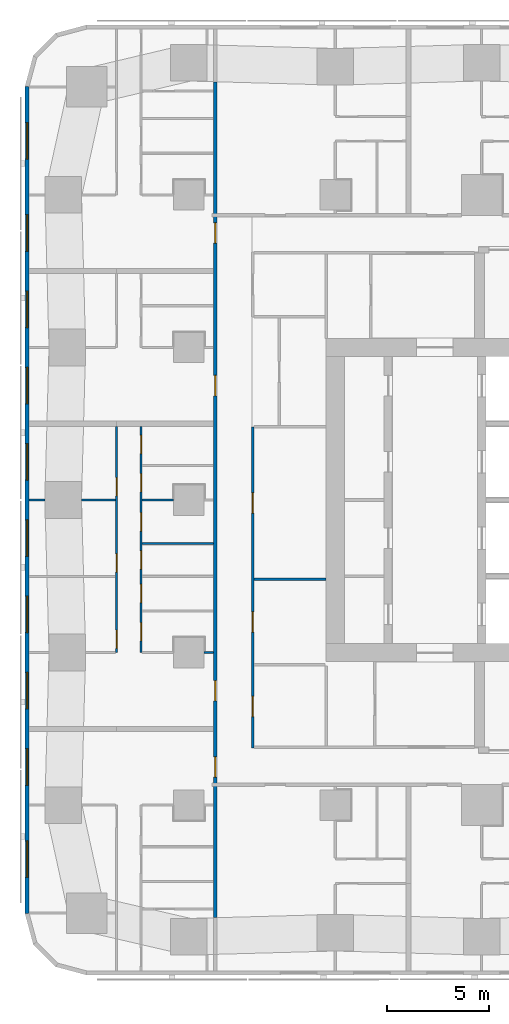
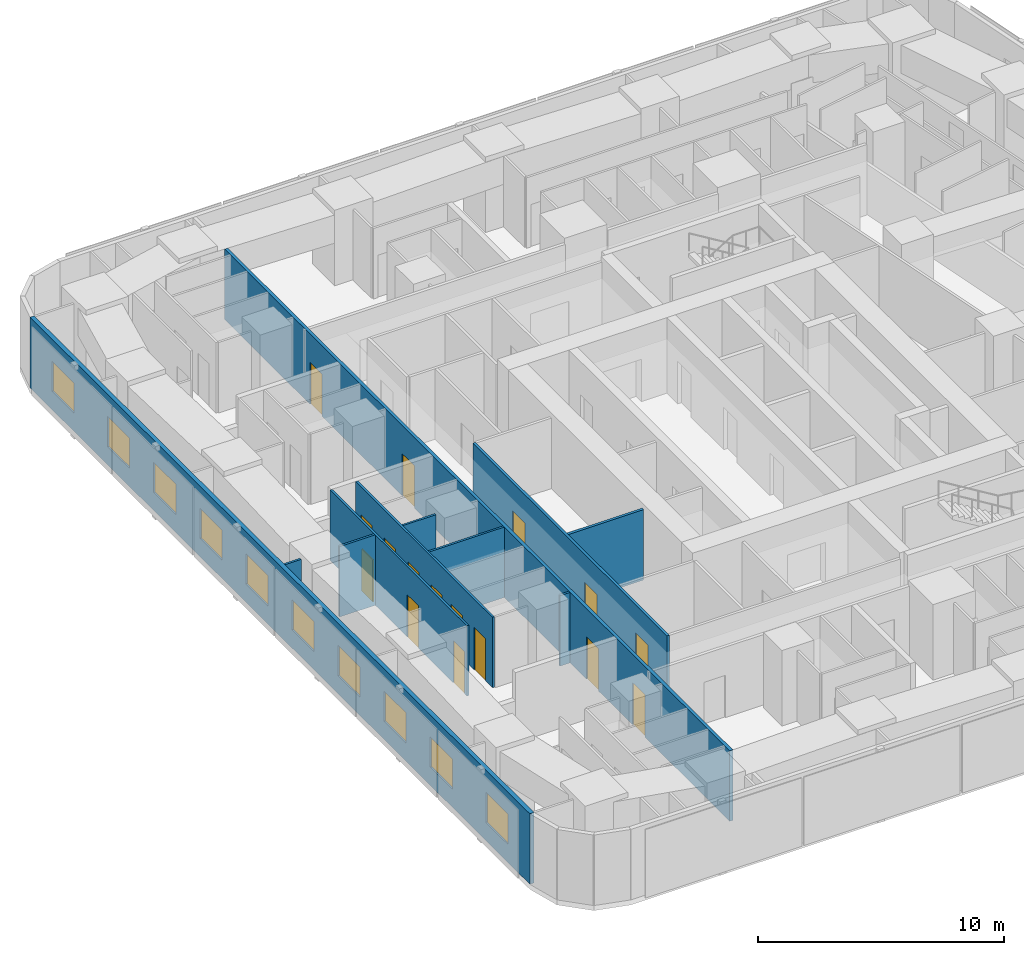
# One storey, part 4 of 14: 16 doors, 11 walls, 10 windows, 26 openings.
"""IFC4 building model written with IfcOpenShell, lengths in metres."""

from ifc_helpers import new_model, si_unit, direction, frame, frame_2d, origin, place, context, subcontext, project, spatial, rectangle, extrude, material, layer, layer_set, type_object, element, fill, save


model = new_model("IFC4")

# Units and contexts
model_context = context("Model", 3, precision=1e-05, world=origin(), true_north=direction((0.0, 1.0)))
body_context = subcontext(model_context, "Body", "Model", "MODEL_VIEW")
ifc_project = project(units=[si_unit("LENGTHUNIT", "METRE"), si_unit("AREAUNIT", "SQUARE_METRE"), si_unit("VOLUMEUNIT", "CUBIC_METRE"), si_unit("PLANEANGLEUNIT", "RADIAN"), si_unit("MASSUNIT", "GRAM", prefix="KILO")], contexts=[model_context])

# Site, building, storey
site_placement = place(None, origin())
site = spatial("IfcSite", under=ifc_project, at=site_placement, CompositionType="ELEMENT")
building_placement = place(site_placement, origin())
building = spatial("IfcBuilding", under=site, at=building_placement, Name="Sheger Commons Tower", CompositionType="ELEMENT")
storey_placement = place(building_placement, frame((0.0, 0.0, 135.800048828125)))
storey = spatial("IfcBuildingStorey", under=building, at=storey_placement, Name="L34", CompositionType="ELEMENT", Elevation=135.800048828125)

# Wall, openings, doors
ifc_material_1 = material(Name="Hollow concrete block masonry, skimmed both sides", Category="masonry")
ifc_layer_1 = layer(ifc_material_1, 0.14990234375)
ifc_layer_set_1 = layer_set([ifc_layer_1], Name="CORRIDOR WALL 150")
wall_type_1 = type_object("IfcWallType", Name="CORRIDOR WALL 150", PredefinedType="SOLIDWALL", material=ifc_layer_set_1)
wall_1_placement = place(storey_placement, frame((8.5, 1.964111328125, 0.0), z_axis=(0.0, 0.0, 1.0), x_axis=(0.0, 1.0, 0.0)))
wall_1 = element("IfcWall", 1, at=wall_1_placement, inside=storey, type_object=wall_type_1, Name="Corridor wall L34", PredefinedType="SOLIDWALL", context=body_context, shape_type="SweptSolid", body=[
    extrude(rectangle(XDim=41.096923828125, YDim=0.14990234375, at=frame_2d((20.54833984375, 0.0))), origin(), (0.0, 0.0, 1.0), 3.5),
])
opening_1_placement = place(wall_1_placement, frame((6.910888671875, 0.0, 0.0)))
opening_1 = element("IfcOpeningElement", 2, at=opening_1_placement, cuts=wall_1, Name="Opening D1", PredefinedType="OPENING", context=body_context, shape_type="SweptSolid", body=[
    extrude(rectangle(XDim=1.0, YDim=2.10009765625, at=frame_2d((0.5, 1.050048828125))), frame((0.0, 0.0849609375, 0.0), z_axis=(0.0, -1.0, 0.0), x_axis=(1.0, 0.0, 0.0)), (0.0, 0.0, 1.0), 0.169921875),
])
opening_2_placement = place(wall_1_placement, frame((10.660888671875, 0.0, 0.0)))
opening_2 = element("IfcOpeningElement", 3, at=opening_2_placement, cuts=wall_1, Name="Opening D1", PredefinedType="OPENING", context=body_context, shape_type="SweptSolid", body=[
    extrude(rectangle(XDim=1.0, YDim=2.10009765625, at=frame_2d((0.5, 1.050048828125))), frame((0.0, 0.0849609375, 0.0), z_axis=(0.0, -1.0, 0.0), x_axis=(1.0, 0.0, 0.0)), (0.0, 0.0, 1.0), 0.169921875),
])
opening_3_placement = place(wall_1_placement, frame((25.660888671875, 0.0, 0.0)))
opening_3 = element("IfcOpeningElement", 4, at=opening_3_placement, cuts=wall_1, Name="Opening D1", PredefinedType="OPENING", context=body_context, shape_type="SweptSolid", body=[
    extrude(rectangle(XDim=1.0, YDim=2.10009765625, at=frame_2d((0.5, 1.050048828125))), frame((0.0, 0.0849609375, 0.0), z_axis=(0.0, -1.0, 0.0), x_axis=(1.0, 0.0, 0.0)), (0.0, 0.0, 1.0), 0.169921875),
])
opening_4_placement = place(wall_1_placement, frame((33.160888671875, 0.0, 0.0)))
opening_4 = element("IfcOpeningElement", 5, at=opening_4_placement, cuts=wall_1, Name="Opening D1", PredefinedType="OPENING", context=body_context, shape_type="SweptSolid", body=[
    extrude(rectangle(XDim=1.0, YDim=2.10009765625, at=frame_2d((0.5, 1.050048828125))), frame((0.0, 0.0849609375, 0.0), z_axis=(0.0, -1.0, 0.0), x_axis=(1.0, 0.0, 0.0)), (0.0, 0.0, 1.0), 0.169921875),
])
ifc_material_2 = material(Name="Steel door set, fire rated", Category="steel")
door_type_1 = type_object("IfcDoorType", Name="FLAT ENTRANCE DOOR 1000x2100", OperationType="NOTDEFINED", PredefinedType="DOOR", material=ifc_material_2)
door_1_placement = place(opening_1_placement, origin())
door_1 = element("IfcDoor", 6, at=door_1_placement, inside=storey, type_object=door_type_1, Name="Flat entrance door", OperationType="SINGLE_SWING_RIGHT", OverallHeight=2.10009765625, OverallWidth=1.0, PredefinedType="DOOR", context=body_context, shape_type="SweptSolid", body=[
    extrude(rectangle(XDim=1.0, YDim=2.10009765625, at=frame_2d((0.5, 1.050048828125))), frame((0.0, 0.02490234375, 0.0), z_axis=(0.0, -1.0, 0.0), x_axis=(1.0, 0.0, 0.0)), (0.0, 0.0, 1.0), 0.050048828125),
])
fill(opening_1, door_1)
door_2_placement = place(opening_2_placement, origin())
door_2 = element("IfcDoor", 7, at=door_2_placement, inside=storey, type_object=door_type_1, Name="Flat entrance door", OperationType="SINGLE_SWING_LEFT", OverallHeight=2.10009765625, OverallWidth=1.0, PredefinedType="DOOR", context=body_context, shape_type="SweptSolid", body=[
    extrude(rectangle(XDim=1.0, YDim=2.10009765625, at=frame_2d((0.5, 1.050048828125))), frame((0.0, 0.02490234375, 0.0), z_axis=(0.0, -1.0, 0.0), x_axis=(1.0, 0.0, 0.0)), (0.0, 0.0, 1.0), 0.050048828125),
])
fill(opening_2, door_2)
door_3_placement = place(opening_3_placement, origin())
door_3 = element("IfcDoor", 8, at=door_3_placement, inside=storey, type_object=door_type_1, Name="Flat entrance door", OperationType="SINGLE_SWING_RIGHT", OverallHeight=2.10009765625, OverallWidth=1.0, PredefinedType="DOOR", context=body_context, shape_type="SweptSolid", body=[
    extrude(rectangle(XDim=1.0, YDim=2.10009765625, at=frame_2d((0.5, 1.050048828125))), frame((0.0, 0.02490234375, 0.0), z_axis=(0.0, -1.0, 0.0), x_axis=(1.0, 0.0, 0.0)), (0.0, 0.0, 1.0), 0.050048828125),
])
fill(opening_3, door_3)
door_4_placement = place(opening_4_placement, origin())
door_4 = element("IfcDoor", 9, at=door_4_placement, inside=storey, type_object=door_type_1, Name="Flat entrance door", OperationType="SINGLE_SWING_LEFT", OverallHeight=2.10009765625, OverallWidth=1.0, PredefinedType="DOOR", context=body_context, shape_type="SweptSolid", body=[
    extrude(rectangle(XDim=1.0, YDim=2.10009765625, at=frame_2d((0.5, 1.050048828125))), frame((0.0, 0.02490234375, 0.0), z_axis=(0.0, -1.0, 0.0), x_axis=(1.0, 0.0, 0.0)), (0.0, 0.0, 1.0), 0.050048828125),
])
fill(opening_4, door_4)

# Wall, openings, windows
ifc_material_3 = material(Name="Rendered concrete block masonry, dark grey", Category="masonry")
ifc_layer_2 = layer(ifc_material_3, 0.199951171875)
ifc_layer_set_2 = layer_set([ifc_layer_2], Name="FACADE WALL 200")
wall_type_2 = type_object("IfcWallType", Name="FACADE WALL 200", PredefinedType="SOLIDWALL", material=ifc_layer_set_2)
wall_2_placement = place(storey_placement, frame((-0.75, 42.8369140625, 0.0), z_axis=(0.0, 0.0, 1.0), x_axis=(0.0, -1.0, 0.0)))
wall_2 = element("IfcWall", 10, at=wall_2_placement, inside=storey, type_object=wall_type_2, Name="Facade wall L34", PredefinedType="SOLIDWALL", context=body_context, shape_type="SweptSolid", body=[
    extrude(rectangle(XDim=40.673828125, YDim=0.199951171875, at=frame_2d((20.3369140625, 0.0))), origin(), (0.0, 0.0, 1.0), 3.5),
])
opening_5_placement = place(wall_2_placement, frame((1.780029296875, 0.0, 0.89990234375)))
opening_5 = element("IfcOpeningElement", 11, at=opening_5_placement, cuts=wall_2, Name="Opening W2", PredefinedType="OPENING", context=body_context, shape_type="SweptSolid", body=[
    extrude(rectangle(XDim=1.800048828125, YDim=1.5, at=frame_2d((0.89990234375, 0.75))), frame((0.0, 0.10986328125, 0.0), z_axis=(0.0, -1.0, 0.0), x_axis=(1.0, 0.0, 0.0)), (0.0, 0.0, 1.0), 0.219970703125),
])
opening_6_placement = place(wall_2_placement, frame((6.31201171875, 0.0, 0.89990234375)))
opening_6 = element("IfcOpeningElement", 12, at=opening_6_placement, cuts=wall_2, Name="Opening W2", PredefinedType="OPENING", context=body_context, shape_type="SweptSolid", body=[
    extrude(rectangle(XDim=1.800048828125, YDim=1.5, at=frame_2d((0.89990234375, 0.75))), frame((0.0, 0.10986328125, 0.0), z_axis=(0.0, -1.0, 0.0), x_axis=(1.0, 0.0, 0.0)), (0.0, 0.0, 1.0), 0.219970703125),
])
opening_7_placement = place(wall_2_placement, frame((10.06201171875, 0.0, 0.89990234375)))
opening_7 = element("IfcOpeningElement", 13, at=opening_7_placement, cuts=wall_2, Name="Opening W2", PredefinedType="OPENING", context=body_context, shape_type="SweptSolid", body=[
    extrude(rectangle(XDim=1.800048828125, YDim=1.5, at=frame_2d((0.89990234375, 0.75))), frame((0.0, 0.10986328125, 0.0), z_axis=(0.0, -1.0, 0.0), x_axis=(1.0, 0.0, 0.0)), (0.0, 0.0, 1.0), 0.219970703125),
])
opening_8_placement = place(wall_2_placement, frame((13.81201171875, 0.0, 0.89990234375)))
opening_8 = element("IfcOpeningElement", 14, at=opening_8_placement, cuts=wall_2, Name="Opening W2", PredefinedType="OPENING", context=body_context, shape_type="SweptSolid", body=[
    extrude(rectangle(XDim=1.800048828125, YDim=1.5, at=frame_2d((0.89990234375, 0.75))), frame((0.0, 0.10986328125, 0.0), z_axis=(0.0, -1.0, 0.0), x_axis=(1.0, 0.0, 0.0)), (0.0, 0.0, 1.0), 0.219970703125),
])
opening_9_placement = place(wall_2_placement, frame((17.56201171875, 0.0, 0.89990234375)))
opening_9 = element("IfcOpeningElement", 15, at=opening_9_placement, cuts=wall_2, Name="Opening W2", PredefinedType="OPENING", context=body_context, shape_type="SweptSolid", body=[
    extrude(rectangle(XDim=1.800048828125, YDim=1.5, at=frame_2d((0.89990234375, 0.75))), frame((0.0, 0.10986328125, 0.0), z_axis=(0.0, -1.0, 0.0), x_axis=(1.0, 0.0, 0.0)), (0.0, 0.0, 1.0), 0.219970703125),
])
opening_10_placement = place(wall_2_placement, frame((21.31201171875, 0.0, 0.89990234375)))
opening_10 = element("IfcOpeningElement", 16, at=opening_10_placement, cuts=wall_2, Name="Opening W2", PredefinedType="OPENING", context=body_context, shape_type="SweptSolid", body=[
    extrude(rectangle(XDim=1.800048828125, YDim=1.5, at=frame_2d((0.89990234375, 0.75))), frame((0.0, 0.10986328125, 0.0), z_axis=(0.0, -1.0, 0.0), x_axis=(1.0, 0.0, 0.0)), (0.0, 0.0, 1.0), 0.219970703125),
])
opening_11_placement = place(wall_2_placement, frame((25.06201171875, 0.0, 0.89990234375)))
opening_11 = element("IfcOpeningElement", 17, at=opening_11_placement, cuts=wall_2, Name="Opening W2", PredefinedType="OPENING", context=body_context, shape_type="SweptSolid", body=[
    extrude(rectangle(XDim=1.800048828125, YDim=1.5, at=frame_2d((0.89990234375, 0.75))), frame((0.0, 0.10986328125, 0.0), z_axis=(0.0, -1.0, 0.0), x_axis=(1.0, 0.0, 0.0)), (0.0, 0.0, 1.0), 0.219970703125),
])
opening_12_placement = place(wall_2_placement, frame((28.81201171875, 0.0, 0.89990234375)))
opening_12 = element("IfcOpeningElement", 18, at=opening_12_placement, cuts=wall_2, Name="Opening W2", PredefinedType="OPENING", context=body_context, shape_type="SweptSolid", body=[
    extrude(rectangle(XDim=1.800048828125, YDim=1.5, at=frame_2d((0.89990234375, 0.75))), frame((0.0, 0.10986328125, 0.0), z_axis=(0.0, -1.0, 0.0), x_axis=(1.0, 0.0, 0.0)), (0.0, 0.0, 1.0), 0.219970703125),
])
opening_13_placement = place(wall_2_placement, frame((32.56201171875, 0.0, 0.89990234375)))
opening_13 = element("IfcOpeningElement", 19, at=opening_13_placement, cuts=wall_2, Name="Opening W2", PredefinedType="OPENING", context=body_context, shape_type="SweptSolid", body=[
    extrude(rectangle(XDim=1.800048828125, YDim=1.5, at=frame_2d((0.89990234375, 0.75))), frame((0.0, 0.10986328125, 0.0), z_axis=(0.0, -1.0, 0.0), x_axis=(1.0, 0.0, 0.0)), (0.0, 0.0, 1.0), 0.219970703125),
])
opening_14_placement = place(wall_2_placement, frame((37.093994140625, 0.0, 0.89990234375)))
opening_14 = element("IfcOpeningElement", 20, at=opening_14_placement, cuts=wall_2, Name="Opening W2", PredefinedType="OPENING", context=body_context, shape_type="SweptSolid", body=[
    extrude(rectangle(XDim=1.800048828125, YDim=1.5, at=frame_2d((0.89990234375, 0.75))), frame((0.0, 0.10986328125, 0.0), z_axis=(0.0, -1.0, 0.0), x_axis=(1.0, 0.0, 0.0)), (0.0, 0.0, 1.0), 0.219970703125),
])
ifc_material_4 = material(Name="Black aluminium frame, dark tinted double glazing", Category="aluminium")
window_type = type_object("IfcWindowType", Name="WINDOW W2 1800x1500", PartitioningType="SINGLE_PANEL", PredefinedType="WINDOW", material=ifc_material_4)
window_1_placement = place(opening_5_placement, origin())
window_1 = element("IfcWindow", 21, at=window_1_placement, inside=storey, type_object=window_type, Name="Window W2 1800X1500", OverallHeight=1.5, OverallWidth=1.800048828125, PartitioningType="SINGLE_PANEL", PredefinedType="WINDOW", context=body_context, shape_type="SweptSolid", body=[
    extrude(rectangle(XDim=1.800048828125, YDim=1.5, at=frame_2d((0.89990234375, 0.75))), frame((0.0, 0.030029296875, 0.0), z_axis=(0.0, -1.0, 0.0), x_axis=(1.0, 0.0, 0.0)), (0.0, 0.0, 1.0), 0.06005859375),
])
fill(opening_5, window_1)
window_2_placement = place(opening_6_placement, origin())
window_2 = element("IfcWindow", 22, at=window_2_placement, inside=storey, type_object=window_type, Name="Window W2 1800X1500", OverallHeight=1.5, OverallWidth=1.800048828125, PartitioningType="SINGLE_PANEL", PredefinedType="WINDOW", context=body_context, shape_type="SweptSolid", body=[
    extrude(rectangle(XDim=1.800048828125, YDim=1.5, at=frame_2d((0.89990234375, 0.75))), frame((0.0, 0.030029296875, 0.0), z_axis=(0.0, -1.0, 0.0), x_axis=(1.0, 0.0, 0.0)), (0.0, 0.0, 1.0), 0.06005859375),
])
fill(opening_6, window_2)
window_3_placement = place(opening_7_placement, origin())
window_3 = element("IfcWindow", 23, at=window_3_placement, inside=storey, type_object=window_type, Name="Window W2 1800X1500", OverallHeight=1.5, OverallWidth=1.800048828125, PartitioningType="SINGLE_PANEL", PredefinedType="WINDOW", context=body_context, shape_type="SweptSolid", body=[
    extrude(rectangle(XDim=1.800048828125, YDim=1.5, at=frame_2d((0.89990234375, 0.75))), frame((0.0, 0.030029296875, 0.0), z_axis=(0.0, -1.0, 0.0), x_axis=(1.0, 0.0, 0.0)), (0.0, 0.0, 1.0), 0.06005859375),
])
fill(opening_7, window_3)
window_4_placement = place(opening_8_placement, origin())
window_4 = element("IfcWindow", 24, at=window_4_placement, inside=storey, type_object=window_type, Name="Window W2 1800X1500", OverallHeight=1.5, OverallWidth=1.800048828125, PartitioningType="SINGLE_PANEL", PredefinedType="WINDOW", context=body_context, shape_type="SweptSolid", body=[
    extrude(rectangle(XDim=1.800048828125, YDim=1.5, at=frame_2d((0.89990234375, 0.75))), frame((0.0, 0.030029296875, 0.0), z_axis=(0.0, -1.0, 0.0), x_axis=(1.0, 0.0, 0.0)), (0.0, 0.0, 1.0), 0.06005859375),
])
fill(opening_8, window_4)
window_5_placement = place(opening_9_placement, origin())
window_5 = element("IfcWindow", 25, at=window_5_placement, inside=storey, type_object=window_type, Name="Window W2 1800X1500", OverallHeight=1.5, OverallWidth=1.800048828125, PartitioningType="SINGLE_PANEL", PredefinedType="WINDOW", context=body_context, shape_type="SweptSolid", body=[
    extrude(rectangle(XDim=1.800048828125, YDim=1.5, at=frame_2d((0.89990234375, 0.75))), frame((0.0, 0.030029296875, 0.0), z_axis=(0.0, -1.0, 0.0), x_axis=(1.0, 0.0, 0.0)), (0.0, 0.0, 1.0), 0.06005859375),
])
fill(opening_9, window_5)
window_6_placement = place(opening_10_placement, origin())
window_6 = element("IfcWindow", 26, at=window_6_placement, inside=storey, type_object=window_type, Name="Window W2 1800X1500", OverallHeight=1.5, OverallWidth=1.800048828125, PartitioningType="SINGLE_PANEL", PredefinedType="WINDOW", context=body_context, shape_type="SweptSolid", body=[
    extrude(rectangle(XDim=1.800048828125, YDim=1.5, at=frame_2d((0.89990234375, 0.75))), frame((0.0, 0.030029296875, 0.0), z_axis=(0.0, -1.0, 0.0), x_axis=(1.0, 0.0, 0.0)), (0.0, 0.0, 1.0), 0.06005859375),
])
fill(opening_10, window_6)
window_7_placement = place(opening_11_placement, origin())
window_7 = element("IfcWindow", 27, at=window_7_placement, inside=storey, type_object=window_type, Name="Window W2 1800X1500", OverallHeight=1.5, OverallWidth=1.800048828125, PartitioningType="SINGLE_PANEL", PredefinedType="WINDOW", context=body_context, shape_type="SweptSolid", body=[
    extrude(rectangle(XDim=1.800048828125, YDim=1.5, at=frame_2d((0.89990234375, 0.75))), frame((0.0, 0.030029296875, 0.0), z_axis=(0.0, -1.0, 0.0), x_axis=(1.0, 0.0, 0.0)), (0.0, 0.0, 1.0), 0.06005859375),
])
fill(opening_11, window_7)
window_8_placement = place(opening_12_placement, origin())
window_8 = element("IfcWindow", 28, at=window_8_placement, inside=storey, type_object=window_type, Name="Window W2 1800X1500", OverallHeight=1.5, OverallWidth=1.800048828125, PartitioningType="SINGLE_PANEL", PredefinedType="WINDOW", context=body_context, shape_type="SweptSolid", body=[
    extrude(rectangle(XDim=1.800048828125, YDim=1.5, at=frame_2d((0.89990234375, 0.75))), frame((0.0, 0.030029296875, 0.0), z_axis=(0.0, -1.0, 0.0), x_axis=(1.0, 0.0, 0.0)), (0.0, 0.0, 1.0), 0.06005859375),
])
fill(opening_12, window_8)
window_9_placement = place(opening_13_placement, origin())
window_9 = element("IfcWindow", 29, at=window_9_placement, inside=storey, type_object=window_type, Name="Window W2 1800X1500", OverallHeight=1.5, OverallWidth=1.800048828125, PartitioningType="SINGLE_PANEL", PredefinedType="WINDOW", context=body_context, shape_type="SweptSolid", body=[
    extrude(rectangle(XDim=1.800048828125, YDim=1.5, at=frame_2d((0.89990234375, 0.75))), frame((0.0, 0.030029296875, 0.0), z_axis=(0.0, -1.0, 0.0), x_axis=(1.0, 0.0, 0.0)), (0.0, 0.0, 1.0), 0.06005859375),
])
fill(opening_13, window_9)
window_10_placement = place(opening_14_placement, origin())
window_10 = element("IfcWindow", 30, at=window_10_placement, inside=storey, type_object=window_type, Name="Window W2 1800X1500", OverallHeight=1.5, OverallWidth=1.800048828125, PartitioningType="SINGLE_PANEL", PredefinedType="WINDOW", context=body_context, shape_type="SweptSolid", body=[
    extrude(rectangle(XDim=1.800048828125, YDim=1.5, at=frame_2d((0.89990234375, 0.75))), frame((0.0, 0.030029296875, 0.0), z_axis=(0.0, -1.0, 0.0), x_axis=(1.0, 0.0, 0.0)), (0.0, 0.0, 1.0), 0.06005859375),
])
fill(opening_14, window_10)

# Wall, openings, doors
ifc_material_5 = material(Name="Gypsum board on steel studs", Category="steel")
ifc_layer_3 = layer(ifc_material_5, 0.10009765625)
ifc_layer_set_3 = layer_set([ifc_layer_3], Name="PARTITION 100")
wall_type_3 = type_object("IfcWallType", Name="PARTITION 100", PredefinedType="PARTITIONING", material=ifc_layer_set_3)
wall_3_placement = place(storey_placement, frame((3.64990234375, 15.0, 0.0), z_axis=(0.0, 0.0, 1.0), x_axis=(0.0, 1.0, 0.0)))
wall_3 = element("IfcWall", 31, at=wall_3_placement, inside=storey, type_object=wall_type_3, Name="Partition L34", PredefinedType="PARTITIONING", context=body_context, shape_type="SweptSolid", body=[
    extrude(rectangle(XDim=11.125, YDim=0.10009765625, at=frame_2d((5.5625, 0.0))), origin(), (0.0, 0.0, 1.0), 3.5),
])
opening_15_placement = place(wall_3_placement, frame((0.199951171875, 0.0, 0.0)))
opening_15 = element("IfcOpeningElement", 32, at=opening_15_placement, cuts=wall_3, Name="Opening D2", PredefinedType="OPENING", context=body_context, shape_type="SweptSolid", body=[
    extrude(rectangle(XDim=0.89990234375, YDim=2.10009765625, at=frame_2d((0.449951171875, 1.050048828125))), frame((0.0, 0.06005859375, 0.0), z_axis=(0.0, -1.0, 0.0), x_axis=(1.0, 0.0, 0.0)), (0.0, 0.0, 1.0), 0.1201171875),
])
opening_16_placement = place(wall_3_placement, frame((3.949951171875, 0.0, 0.0)))
opening_16 = element("IfcOpeningElement", 33, at=opening_16_placement, cuts=wall_3, Name="Opening D2", PredefinedType="OPENING", context=body_context, shape_type="SweptSolid", body=[
    extrude(rectangle(XDim=0.89990234375, YDim=2.10009765625, at=frame_2d((0.449951171875, 1.050048828125))), frame((0.0, 0.06005859375, 0.0), z_axis=(0.0, -1.0, 0.0), x_axis=(1.0, 0.0, 0.0)), (0.0, 0.0, 1.0), 0.1201171875),
])
opening_17_placement = place(wall_3_placement, frame((7.699951171875, 0.0, 0.0)))
opening_17 = element("IfcOpeningElement", 34, at=opening_17_placement, cuts=wall_3, Name="Opening D2", PredefinedType="OPENING", context=body_context, shape_type="SweptSolid", body=[
    extrude(rectangle(XDim=0.89990234375, YDim=2.10009765625, at=frame_2d((0.449951171875, 1.050048828125))), frame((0.0, 0.06005859375, 0.0), z_axis=(0.0, -1.0, 0.0), x_axis=(1.0, 0.0, 0.0)), (0.0, 0.0, 1.0), 0.1201171875),
])
ifc_material_6 = material(Name="Timber door set", Category="wood")
door_type_2 = type_object("IfcDoorType", Name="INTERNAL DOOR 900x2100", OperationType="NOTDEFINED", PredefinedType="DOOR", material=ifc_material_6)
door_5_placement = place(opening_15_placement, origin())
door_5 = element("IfcDoor", 35, at=door_5_placement, inside=storey, type_object=door_type_2, Name="Main bedroom door", OperationType="SINGLE_SWING_LEFT", OverallHeight=2.10009765625, OverallWidth=0.89990234375, PredefinedType="DOOR", context=body_context, shape_type="SweptSolid", body=[
    extrude(rectangle(XDim=0.89990234375, YDim=2.10009765625, at=frame_2d((0.449951171875, 1.050048828125))), frame((0.0, 0.02490234375, 0.0), z_axis=(0.0, -1.0, 0.0), x_axis=(1.0, 0.0, 0.0)), (0.0, 0.0, 1.0), 0.050048828125),
])
fill(opening_15, door_5)
door_6_placement = place(opening_16_placement, origin())
door_6 = element("IfcDoor", 36, at=door_6_placement, inside=storey, type_object=door_type_2, Name="Bedroom 2 door", OperationType="SINGLE_SWING_LEFT", OverallHeight=2.10009765625, OverallWidth=0.89990234375, PredefinedType="DOOR", context=body_context, shape_type="SweptSolid", body=[
    extrude(rectangle(XDim=0.89990234375, YDim=2.10009765625, at=frame_2d((0.449951171875, 1.050048828125))), frame((0.0, 0.02490234375, 0.0), z_axis=(0.0, -1.0, 0.0), x_axis=(1.0, 0.0, 0.0)), (0.0, 0.0, 1.0), 0.050048828125),
])
fill(opening_16, door_6)
door_7_placement = place(opening_17_placement, origin())
door_7 = element("IfcDoor", 37, at=door_7_placement, inside=storey, type_object=door_type_2, Name="Bedroom 3 door", OperationType="SINGLE_SWING_LEFT", OverallHeight=2.10009765625, OverallWidth=0.89990234375, PredefinedType="DOOR", context=body_context, shape_type="SweptSolid", body=[
    extrude(rectangle(XDim=0.89990234375, YDim=2.10009765625, at=frame_2d((0.449951171875, 1.050048828125))), frame((0.0, 0.02490234375, 0.0), z_axis=(0.0, -1.0, 0.0), x_axis=(1.0, 0.0, 0.0)), (0.0, 0.0, 1.0), 0.050048828125),
])
fill(opening_17, door_7)

wall_4_placement = place(storey_placement, frame((4.85009765625, 15.0, 0.0), z_axis=(0.0, 0.0, 1.0), x_axis=(0.0, 1.0, 0.0)))
wall_4 = element("IfcWall", 38, at=wall_4_placement, inside=storey, type_object=wall_type_3, Name="Partition L34", PredefinedType="PARTITIONING", context=body_context, shape_type="SweptSolid", body=[
    extrude(rectangle(XDim=11.125, YDim=0.10009765625, at=frame_2d((5.5625, 0.0))), origin(), (0.0, 0.0, 1.0), 3.5),
])
opening_18_placement = place(wall_4_placement, frame((0.574951171875, 0.0, 0.0)))
opening_18 = element("IfcOpeningElement", 39, at=opening_18_placement, cuts=wall_4, Name="Opening D2", PredefinedType="OPENING", context=body_context, shape_type="SweptSolid", body=[
    extrude(rectangle(XDim=0.89990234375, YDim=2.10009765625, at=frame_2d((0.449951171875, 1.050048828125))), frame((0.0, 0.06005859375, 0.0), z_axis=(0.0, -1.0, 0.0), x_axis=(1.0, 0.0, 0.0)), (0.0, 0.0, 1.0), 0.1201171875),
])
opening_19_placement = place(wall_4_placement, frame((4.10009765625, 0.0, 0.0)))
opening_19 = element("IfcOpeningElement", 40, at=opening_19_placement, cuts=wall_4, Name="Opening D2", PredefinedType="OPENING", context=body_context, shape_type="SweptSolid", body=[
    extrude(rectangle(XDim=0.89990234375, YDim=2.10009765625, at=frame_2d((0.449951171875, 1.050048828125))), frame((0.0, 0.06005859375, 0.0), z_axis=(0.0, -1.0, 0.0), x_axis=(1.0, 0.0, 0.0)), (0.0, 0.0, 1.0), 0.1201171875),
])
opening_20_placement = place(wall_4_placement, frame((7.89990234375, 0.0, 0.0)))
opening_20 = element("IfcOpeningElement", 41, at=opening_20_placement, cuts=wall_4, Name="Opening D2", PredefinedType="OPENING", context=body_context, shape_type="SweptSolid", body=[
    extrude(rectangle(XDim=0.89990234375, YDim=2.10009765625, at=frame_2d((0.449951171875, 1.050048828125))), frame((0.0, 0.06005859375, 0.0), z_axis=(0.0, -1.0, 0.0), x_axis=(1.0, 0.0, 0.0)), (0.0, 0.0, 1.0), 0.1201171875),
])
opening_21_placement = place(wall_4_placement, frame((2.449951171875, 0.0, 0.0)))
opening_21 = element("IfcOpeningElement", 42, at=opening_21_placement, cuts=wall_4, Name="Opening D2", PredefinedType="OPENING", context=body_context, shape_type="SweptSolid", body=[
    extrude(rectangle(XDim=0.89990234375, YDim=2.10009765625, at=frame_2d((0.449951171875, 1.050048828125))), frame((0.0, 0.06005859375, 0.0), z_axis=(0.0, -1.0, 0.0), x_axis=(1.0, 0.0, 0.0)), (0.0, 0.0, 1.0), 0.1201171875),
])
opening_22_placement = place(wall_4_placement, frame((5.97509765625, 0.0, 0.0)))
opening_22 = element("IfcOpeningElement", 43, at=opening_22_placement, cuts=wall_4, Name="Opening D2", PredefinedType="OPENING", context=body_context, shape_type="SweptSolid", body=[
    extrude(rectangle(XDim=0.89990234375, YDim=2.10009765625, at=frame_2d((0.449951171875, 1.050048828125))), frame((0.0, 0.06005859375, 0.0), z_axis=(0.0, -1.0, 0.0), x_axis=(1.0, 0.0, 0.0)), (0.0, 0.0, 1.0), 0.1201171875),
])
opening_23_placement = place(wall_4_placement, frame((9.77490234375, 0.0, 0.0)))
opening_23 = element("IfcOpeningElement", 44, at=opening_23_placement, cuts=wall_4, Name="Opening D2", PredefinedType="OPENING", context=body_context, shape_type="SweptSolid", body=[
    extrude(rectangle(XDim=0.89990234375, YDim=2.10009765625, at=frame_2d((0.449951171875, 1.050048828125))), frame((0.0, 0.06005859375, 0.0), z_axis=(0.0, -1.0, 0.0), x_axis=(1.0, 0.0, 0.0)), (0.0, 0.0, 1.0), 0.1201171875),
])
door_8_placement = place(opening_18_placement, origin())
door_8 = element("IfcDoor", 45, at=door_8_placement, inside=storey, type_object=door_type_2, Name="Bathroom door", OperationType="SINGLE_SWING_RIGHT", OverallHeight=2.10009765625, OverallWidth=0.89990234375, PredefinedType="DOOR", context=body_context, shape_type="SweptSolid", body=[
    extrude(rectangle(XDim=0.89990234375, YDim=2.10009765625, at=frame_2d((0.449951171875, 1.050048828125))), frame((0.0, 0.02490234375, 0.0), z_axis=(0.0, -1.0, 0.0), x_axis=(1.0, 0.0, 0.0)), (0.0, 0.0, 1.0), 0.050048828125),
])
fill(opening_18, door_8)
door_9_placement = place(opening_19_placement, origin())
door_9 = element("IfcDoor", 46, at=door_9_placement, inside=storey, type_object=door_type_2, Name="Shower room door", OperationType="SINGLE_SWING_LEFT", OverallHeight=2.10009765625, OverallWidth=0.89990234375, PredefinedType="DOOR", context=body_context, shape_type="SweptSolid", body=[
    extrude(rectangle(XDim=0.89990234375, YDim=2.10009765625, at=frame_2d((0.449951171875, 1.050048828125))), frame((0.0, 0.02490234375, 0.0), z_axis=(0.0, -1.0, 0.0), x_axis=(1.0, 0.0, 0.0)), (0.0, 0.0, 1.0), 0.050048828125),
])
fill(opening_19, door_9)
door_10_placement = place(opening_20_placement, origin())
door_10 = element("IfcDoor", 47, at=door_10_placement, inside=storey, type_object=door_type_2, Name="Laundry room door", OperationType="SINGLE_SWING_LEFT", OverallHeight=2.10009765625, OverallWidth=0.89990234375, PredefinedType="DOOR", context=body_context, shape_type="SweptSolid", body=[
    extrude(rectangle(XDim=0.89990234375, YDim=2.10009765625, at=frame_2d((0.449951171875, 1.050048828125))), frame((0.0, 0.02490234375, 0.0), z_axis=(0.0, -1.0, 0.0), x_axis=(1.0, 0.0, 0.0)), (0.0, 0.0, 1.0), 0.050048828125),
])
fill(opening_20, door_10)
door_11_placement = place(opening_21_placement, origin())
door_11 = element("IfcDoor", 48, at=door_11_placement, inside=storey, type_object=door_type_2, Name="Store door", OperationType="SINGLE_SWING_RIGHT", OverallHeight=2.10009765625, OverallWidth=0.89990234375, PredefinedType="DOOR", context=body_context, shape_type="SweptSolid", body=[
    extrude(rectangle(XDim=0.89990234375, YDim=2.10009765625, at=frame_2d((0.449951171875, 1.050048828125))), frame((0.0, 0.02490234375, 0.0), z_axis=(0.0, -1.0, 0.0), x_axis=(1.0, 0.0, 0.0)), (0.0, 0.0, 1.0), 0.050048828125),
])
fill(opening_21, door_11)
door_12_placement = place(opening_22_placement, origin())
door_12 = element("IfcDoor", 49, at=door_12_placement, inside=storey, type_object=door_type_2, Name="Store door", OperationType="SINGLE_SWING_RIGHT", OverallHeight=2.10009765625, OverallWidth=0.89990234375, PredefinedType="DOOR", context=body_context, shape_type="SweptSolid", body=[
    extrude(rectangle(XDim=0.89990234375, YDim=2.10009765625, at=frame_2d((0.449951171875, 1.050048828125))), frame((0.0, 0.02490234375, 0.0), z_axis=(0.0, -1.0, 0.0), x_axis=(1.0, 0.0, 0.0)), (0.0, 0.0, 1.0), 0.050048828125),
])
fill(opening_22, door_12)
door_13_placement = place(opening_23_placement, origin())
door_13 = element("IfcDoor", 50, at=door_13_placement, inside=storey, type_object=door_type_2, Name="Store door", OperationType="SINGLE_SWING_LEFT", OverallHeight=2.10009765625, OverallWidth=0.89990234375, PredefinedType="DOOR", context=body_context, shape_type="SweptSolid", body=[
    extrude(rectangle(XDim=0.89990234375, YDim=2.10009765625, at=frame_2d((0.449951171875, 1.050048828125))), frame((0.0, 0.02490234375, 0.0), z_axis=(0.0, -1.0, 0.0), x_axis=(1.0, 0.0, 0.0)), (0.0, 0.0, 1.0), 0.050048828125),
])
fill(opening_23, door_13)

# Walls
wall_5_placement = place(storey_placement, frame((-0.64990234375, 22.5, 0.0), z_axis=(0.0, 0.0, 1.0), x_axis=(1.0, 0.0, 0.0)))
element("IfcWall", 51, at=wall_5_placement, inside=storey, type_object=wall_type_3, Name="Partition L34", PredefinedType="PARTITIONING", context=body_context, shape_type="SweptSolid", body=[
    extrude(rectangle(XDim=0.77392578125, YDim=0.10009765625, at=frame_2d((0.386962890625, 0.0))), origin(), (0.0, 0.0, 1.0), 3.5),
])
wall_6_placement = place(storey_placement, frame((1.926025390625, 22.5, 0.0), z_axis=(0.0, 0.0, 1.0), x_axis=(1.0, 0.0, 0.0)))
element("IfcWall", 52, at=wall_6_placement, inside=storey, type_object=wall_type_3, Name="Partition L34", PredefinedType="PARTITIONING", context=body_context, shape_type="SweptSolid", body=[
    extrude(rectangle(XDim=1.674072265625, YDim=0.10009765625, at=frame_2d((0.8369140625, 0.0))), origin(), (0.0, 0.0, 1.0), 3.5),
])
wall_7_placement = place(storey_placement, frame((7.950927734375, 15.0, 0.0), z_axis=(0.0, 0.0, 1.0), x_axis=(1.0, 0.0, 0.0)))
element("IfcWall", 53, at=wall_7_placement, inside=storey, type_object=wall_type_3, Name="Partition L34", PredefinedType="PARTITIONING", context=body_context, shape_type="SweptSolid", body=[
    extrude(rectangle(XDim=0.47412109375, YDim=0.10009765625, at=frame_2d((0.237060546875, 0.0))), origin(), (0.0, 0.0, 1.0), 3.5),
])
wall_8_placement = place(storey_placement, frame((4.89990234375, 22.5, 0.0), z_axis=(0.0, 0.0, 1.0), x_axis=(1.0, 0.0, 0.0)))
element("IfcWall", 54, at=wall_8_placement, inside=storey, type_object=wall_type_3, Name="Partition L34", PredefinedType="PARTITIONING", context=body_context, shape_type="SweptSolid", body=[
    extrude(rectangle(XDim=1.549072265625, YDim=0.10009765625, at=frame_2d((0.7744140625, 0.0))), origin(), (0.0, 0.0, 1.0), 3.5),
])
wall_9_placement = place(storey_placement, frame((4.89990234375, 20.35009765625, 0.0), z_axis=(0.0, 0.0, 1.0), x_axis=(1.0, 0.0, 0.0)))
element("IfcWall", 55, at=wall_9_placement, inside=storey, type_object=wall_type_3, Name="Partition L34", PredefinedType="PARTITIONING", context=body_context, shape_type="SweptSolid", body=[
    extrude(rectangle(XDim=3.525146484375, YDim=0.10009765625, at=frame_2d((1.7626953125, 0.0))), origin(), (0.0, 0.0, 1.0), 3.5),
])

# Wall, openings, doors
ifc_material_7 = material(Name="Gypsum board on steel studs, two layers each side, fire rated", Category="steel")
ifc_layer_4 = layer(ifc_material_7, 0.125)
ifc_layer_set_4 = layer_set([ifc_layer_4], Name="SERVICE WALL 125")
wall_type_4 = type_object("IfcWallType", Name="SERVICE WALL 125", PredefinedType="PARTITIONING", material=ifc_layer_set_4)
wall_10_placement = place(storey_placement, frame((10.35009765625, 10.300048828125, 0.0), z_axis=(0.0, 0.0, 1.0), x_axis=(0.0, 1.0, 0.0)))
wall_10 = element("IfcWall", 56, at=wall_10_placement, inside=storey, type_object=wall_type_4, Name="Service room wall L34", PredefinedType="PARTITIONING", context=body_context, shape_type="SweptSolid", body=[
    extrude(rectangle(XDim=15.800048828125, YDim=0.125, at=frame_2d((7.89990234375, 0.0))), origin(), (0.0, 0.0, 1.0), 3.5),
])
opening_24_placement = place(wall_10_placement, frame((1.550048828125, 0.0, 0.0)))
opening_24 = element("IfcOpeningElement", 57, at=opening_24_placement, cuts=wall_10, Name="Opening D4", PredefinedType="OPENING", context=body_context, shape_type="SweptSolid", body=[
    extrude(rectangle(XDim=1.0, YDim=2.10009765625, at=frame_2d((0.5, 1.050048828125))), frame((0.0, 0.072509765625, 0.0), z_axis=(0.0, -1.0, 0.0), x_axis=(1.0, 0.0, 0.0)), (0.0, 0.0, 1.0), 0.14501953125),
])
opening_25_placement = place(wall_10_placement, frame((5.699951171875, 0.0, 0.0)))
opening_25 = element("IfcOpeningElement", 58, at=opening_25_placement, cuts=wall_10, Name="Opening D4", PredefinedType="OPENING", context=body_context, shape_type="SweptSolid", body=[
    extrude(rectangle(XDim=1.0, YDim=2.10009765625, at=frame_2d((0.5, 1.050048828125))), frame((0.0, 0.072509765625, 0.0), z_axis=(0.0, -1.0, 0.0), x_axis=(1.0, 0.0, 0.0)), (0.0, 0.0, 1.0), 0.14501953125),
])
opening_26_placement = place(wall_10_placement, frame((11.550048828125, 0.0, 0.0)))
opening_26 = element("IfcOpeningElement", 59, at=opening_26_placement, cuts=wall_10, Name="Opening D4", PredefinedType="OPENING", context=body_context, shape_type="SweptSolid", body=[
    extrude(rectangle(XDim=1.0, YDim=2.10009765625, at=frame_2d((0.5, 1.050048828125))), frame((0.0, 0.072509765625, 0.0), z_axis=(0.0, -1.0, 0.0), x_axis=(1.0, 0.0, 0.0)), (0.0, 0.0, 1.0), 0.14501953125),
])
ifc_material_8 = material(Name="Steel door set, fire rated", Category="steel")
door_type_3 = type_object("IfcDoorType", Name="SERVICE DOOR 1000x2100", OperationType="NOTDEFINED", PredefinedType="DOOR", material=ifc_material_8)
door_14_placement = place(opening_24_placement, origin())
door_14 = element("IfcDoor", 60, at=door_14_placement, inside=storey, type_object=door_type_3, Name="Refuse chute room door", OperationType="SINGLE_SWING_RIGHT", OverallHeight=2.10009765625, OverallWidth=1.0, PredefinedType="DOOR", context=body_context, shape_type="SweptSolid", body=[
    extrude(rectangle(XDim=1.0, YDim=2.10009765625, at=frame_2d((0.5, 1.050048828125))), frame((0.0, 0.02490234375, 0.0), z_axis=(0.0, -1.0, 0.0), x_axis=(1.0, 0.0, 0.0)), (0.0, 0.0, 1.0), 0.050048828125),
])
fill(opening_24, door_14)
door_15_placement = place(opening_25_placement, origin())
door_15 = element("IfcDoor", 61, at=door_15_placement, inside=storey, type_object=door_type_3, Name="Recycling room door", OperationType="SINGLE_SWING_RIGHT", OverallHeight=2.10009765625, OverallWidth=1.0, PredefinedType="DOOR", context=body_context, shape_type="SweptSolid", body=[
    extrude(rectangle(XDim=1.0, YDim=2.10009765625, at=frame_2d((0.5, 1.050048828125))), frame((0.0, 0.02490234375, 0.0), z_axis=(0.0, -1.0, 0.0), x_axis=(1.0, 0.0, 0.0)), (0.0, 0.0, 1.0), 0.050048828125),
])
fill(opening_25, door_15)
door_16_placement = place(opening_26_placement, origin())
door_16 = element("IfcDoor", 62, at=door_16_placement, inside=storey, type_object=door_type_3, Name="Bicycle and pram store door", OperationType="SINGLE_SWING_LEFT", OverallHeight=2.10009765625, OverallWidth=1.0, PredefinedType="DOOR", context=body_context, shape_type="SweptSolid", body=[
    extrude(rectangle(XDim=1.0, YDim=2.10009765625, at=frame_2d((0.5, 1.050048828125))), frame((0.0, 0.02490234375, 0.0), z_axis=(0.0, -1.0, 0.0), x_axis=(1.0, 0.0, 0.0)), (0.0, 0.0, 1.0), 0.050048828125),
])
fill(opening_26, door_16)

# Wall
wall_11_placement = place(storey_placement, frame((10.4130859375, 18.60009765625, 0.0), z_axis=(0.0, 0.0, 1.0), x_axis=(1.0, 0.0, 0.0)))
element("IfcWall", 63, at=wall_11_placement, inside=storey, type_object=wall_type_4, Name="Service room wall L34", PredefinedType="PARTITIONING", context=body_context, shape_type="SweptSolid", body=[
    extrude(rectangle(XDim=3.536865234375, YDim=0.125, at=frame_2d((1.7685546875, 0.0))), origin(), (0.0, 0.0, 1.0), 3.5),
])

save(model, "model.ifc")
